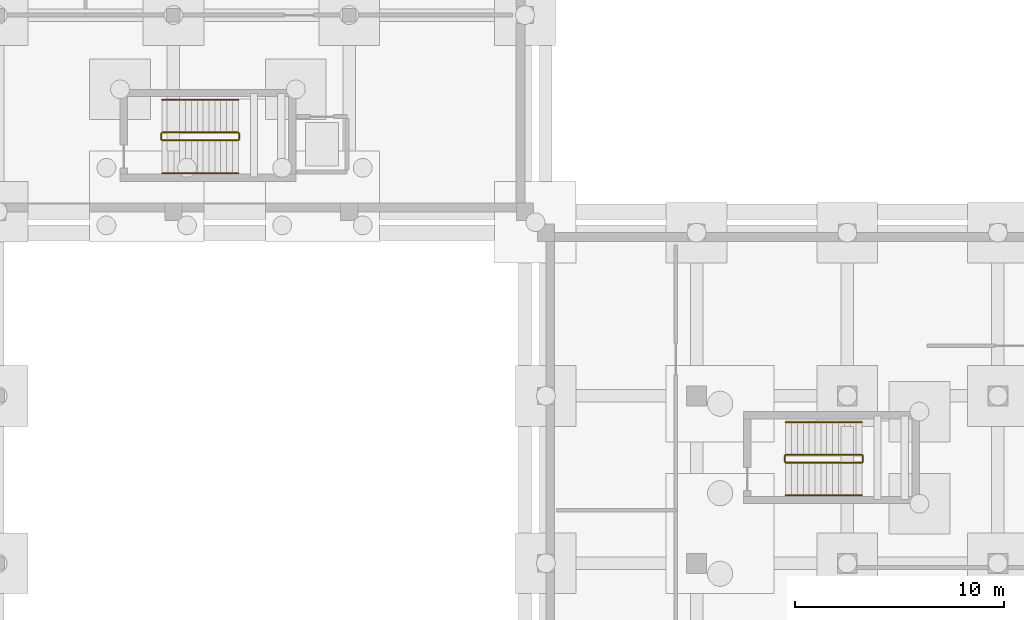
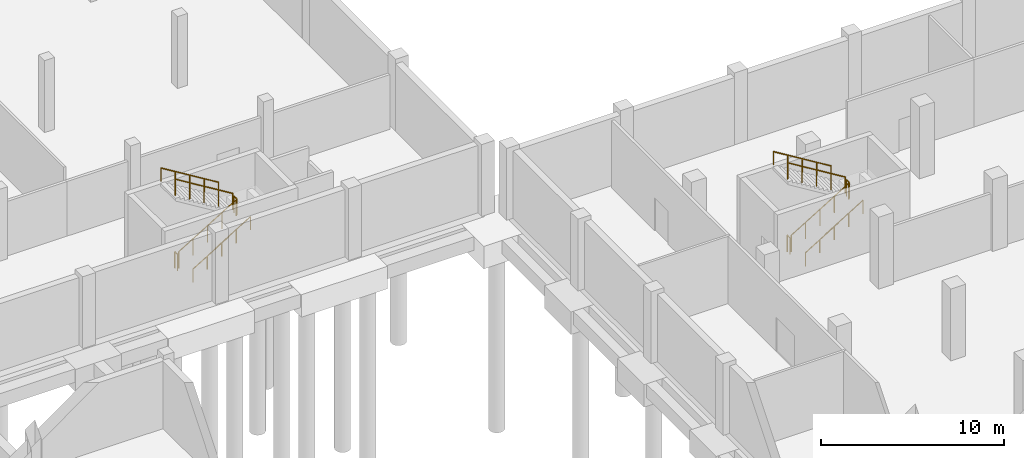
# One storey, part 27 of 29: 12 railings.
"""IFC4 building model written with IfcOpenShell, lengths in metres."""

from ifc_helpers import new_model, si_unit, direction, frame, origin, origin_2d, place, context, subcontext, project, spatial, circle, extrude, material, type_object, element, save


model = new_model("IFC4")

# Units and contexts
model_context = context("Model", 3, precision=1e-05, world=origin(), true_north=direction((0.0, 1.0)))
body_context = subcontext(model_context, "Body", "Model", "MODEL_VIEW")
ifc_project = project(units=[si_unit("LENGTHUNIT", "METRE"), si_unit("AREAUNIT", "SQUARE_METRE"), si_unit("VOLUMEUNIT", "CUBIC_METRE"), si_unit("PLANEANGLEUNIT", "RADIAN"), si_unit("MASSUNIT", "GRAM", prefix="KILO")], contexts=[model_context])

# Site, building, storey
site_placement = place(None, origin())
site = spatial("IfcSite", under=ifc_project, at=site_placement, CompositionType="ELEMENT")
building_placement = place(site_placement, origin())
building = spatial("IfcBuilding", under=site, at=building_placement, Name="Kelarvand Opera House", CompositionType="ELEMENT")
storey_placement = place(building_placement, frame((0.0, 0.0, -9.60009765625)))
storey = spatial("IfcBuildingStorey", under=building, at=storey_placement, Name="B2", CompositionType="ELEMENT", Elevation=-9.60009765625)

# Railings
ifc_material_1 = material(Name="Brushed bronze tubular rail")
railing_type_1 = type_object("IfcRailingType", Name="Brushed Bronze Stair Wall Handrail 900", PredefinedType="HANDRAIL", material=ifc_material_1)
railing_1_placement = place(storey_placement, frame((63.4599609375, 73.64990234375, 0.171630859375)))
element("IfcRailing", 1, at=railing_1_placement, inside=storey, type_object=railing_type_1, Name="B2 ST-03 stair handrail 1", PredefinedType="HANDRAIL", context=body_context, shape_type="SweptSolid", body=[
    extrude(circle(Radius=0.02392578125, at=origin_2d()), frame((0.0, 0.0, 0.8759765625), z_axis=(0.852865859571, 0.0, 0.52213008492), x_axis=(0.0, 1.0, 0.0)), (0.0, 0.0, 1.0), 4.26806640625),
    extrude(circle(Radius=0.02099609375, at=origin_2d()), origin(), (0.0, 0.0, 1.0), 0.851806640625),
    extrude(circle(Radius=0.02099609375, at=origin_2d()), frame((0.91015625, 0.0, 0.55712890625)), (0.0, 0.0, 1.0), 0.851806640625),
    extrude(circle(Radius=0.02099609375, at=origin_2d()), frame((1.820068359375, 0.0, 1.1142578125)), (0.0, 0.0, 1.0), 0.851806640625),
    extrude(circle(Radius=0.02099609375, at=origin_2d()), frame((2.72998046875, 0.0, 1.67138671875)), (0.0, 0.0, 1.0), 0.851806640625),
    extrude(circle(Radius=0.02099609375, at=origin_2d()), frame((3.64013671875, 0.0, 2.228515625)), (0.0, 0.0, 1.0), 0.851806640625),
])
railing_2_placement = place(storey_placement, frame((67.10009765625, 77.14990234375, 2.571533203125)))
element("IfcRailing", 2, at=railing_2_placement, inside=storey, type_object=railing_type_1, Name="B2 ST-03 stair handrail 2", PredefinedType="HANDRAIL", context=body_context, shape_type="SweptSolid", body=[
    extrude(circle(Radius=0.02392578125, at=origin_2d()), frame((0.0, 0.0, 0.8759765625), z_axis=(-0.852865859571, 0.0, 0.52213008492), x_axis=(0.0, -1.0, 0.0)), (0.0, 0.0, 1.0), 4.26806640625),
    extrude(circle(Radius=0.02099609375, at=origin_2d()), origin(), (0.0, 0.0, 1.0), 0.851806640625),
    extrude(circle(Radius=0.02099609375, at=origin_2d()), frame((-0.91015625, 0.0, 0.55712890625)), (0.0, 0.0, 1.0), 0.851806640625),
    extrude(circle(Radius=0.02099609375, at=origin_2d()), frame((-1.820068359375, 0.0, 1.1142578125)), (0.0, 0.0, 1.0), 0.851806640625),
    extrude(circle(Radius=0.02099609375, at=origin_2d()), frame((-2.72998046875, 0.0, 1.67138671875)), (0.0, 0.0, 1.0), 0.851806640625),
    extrude(circle(Radius=0.02099609375, at=origin_2d()), frame((-3.64013671875, 0.0, 2.228515625)), (0.0, 0.0, 1.0), 0.851806640625),
])
railing_3_placement = place(storey_placement, frame((33.659912109375, 89.050048828125, 0.171630859375)))
element("IfcRailing", 3, at=railing_3_placement, inside=storey, type_object=railing_type_1, Name="B2 ST-05 stair handrail 1", PredefinedType="HANDRAIL", context=body_context, shape_type="SweptSolid", body=[
    extrude(circle(Radius=0.02392578125, at=origin_2d()), frame((0.0, 0.0, 0.8759765625), z_axis=(0.852865859571, 0.0, 0.52213008492), x_axis=(0.0, 1.0, 0.0)), (0.0, 0.0, 1.0), 4.26806640625),
    extrude(circle(Radius=0.02099609375, at=origin_2d()), origin(), (0.0, 0.0, 1.0), 0.851806640625),
    extrude(circle(Radius=0.02099609375, at=origin_2d()), frame((0.91015625, 0.0, 0.55712890625)), (0.0, 0.0, 1.0), 0.851806640625),
    extrude(circle(Radius=0.02099609375, at=origin_2d()), frame((1.820068359375, 0.0, 1.1142578125)), (0.0, 0.0, 1.0), 0.851806640625),
    extrude(circle(Radius=0.02099609375, at=origin_2d()), frame((2.72998046875, 0.0, 1.67138671875)), (0.0, 0.0, 1.0), 0.851806640625),
    extrude(circle(Radius=0.02099609375, at=origin_2d()), frame((3.64013671875, 0.0, 2.228515625)), (0.0, 0.0, 1.0), 0.851806640625),
])
railing_4_placement = place(storey_placement, frame((37.300048828125, 92.550048828125, 2.571533203125)))
element("IfcRailing", 4, at=railing_4_placement, inside=storey, type_object=railing_type_1, Name="B2 ST-05 stair handrail 2", PredefinedType="HANDRAIL", context=body_context, shape_type="SweptSolid", body=[
    extrude(circle(Radius=0.02392578125, at=origin_2d()), frame((0.0, 0.0, 0.8759765625), z_axis=(-0.852865859571, 0.0, 0.52213008492), x_axis=(0.0, -1.0, 0.0)), (0.0, 0.0, 1.0), 4.26806640625),
    extrude(circle(Radius=0.02099609375, at=origin_2d()), origin(), (0.0, 0.0, 1.0), 0.851806640625),
    extrude(circle(Radius=0.02099609375, at=origin_2d()), frame((-0.91015625, 0.0, 0.55712890625)), (0.0, 0.0, 1.0), 0.851806640625),
    extrude(circle(Radius=0.02099609375, at=origin_2d()), frame((-1.820068359375, 0.0, 1.1142578125)), (0.0, 0.0, 1.0), 0.851806640625),
    extrude(circle(Radius=0.02099609375, at=origin_2d()), frame((-2.72998046875, 0.0, 1.67138671875)), (0.0, 0.0, 1.0), 0.851806640625),
    extrude(circle(Radius=0.02099609375, at=origin_2d()), frame((-3.64013671875, 0.0, 2.228515625)), (0.0, 0.0, 1.0), 0.851806640625),
])
ifc_material_2 = material(Name="Powder-coated Steel S355", Category="steel")
railing_type_2 = type_object("IfcRailingType", Name="Painted Steel Stair and Void Guardrail 1100", PredefinedType="GUARDRAIL", material=ifc_material_2)
railing_5_placement = place(storey_placement, frame((63.4599609375, 75.2099609375, 0.171630859375)))
element("IfcRailing", 5, at=railing_5_placement, inside=storey, type_object=railing_type_2, Name="B2 ST-03 stair guard 1", PredefinedType="GUARDRAIL", context=body_context, shape_type="SweptSolid", body=[
    extrude(circle(Radius=0.02392578125, at=origin_2d()), frame((0.0, 0.0, 1.076171875), z_axis=(0.852865859571, 0.0, 0.52213008492), x_axis=(0.0, 1.0, 0.0)), (0.0, 0.0, 1.0), 4.26806640625),
    extrude(circle(Radius=0.02099609375, at=origin_2d()), origin(), (0.0, 0.0, 1.0), 1.052001953125),
    extrude(circle(Radius=0.02099609375, at=origin_2d()), frame((0.91015625, 0.0, 0.55712890625)), (0.0, 0.0, 1.0), 1.052001953125),
    extrude(circle(Radius=0.02099609375, at=origin_2d()), frame((1.820068359375, 0.0, 1.1142578125)), (0.0, 0.0, 1.0), 1.052001953125),
    extrude(circle(Radius=0.02099609375, at=origin_2d()), frame((2.72998046875, 0.0, 1.67138671875)), (0.0, 0.0, 1.0), 1.052001953125),
    extrude(circle(Radius=0.02099609375, at=origin_2d()), frame((3.64013671875, 0.0, 2.228515625)), (0.0, 0.0, 1.0), 1.052001953125),
])
railing_6_placement = place(storey_placement, frame((67.14990234375, 75.260009765625, 2.400146484375)))
element("IfcRailing", 6, at=railing_6_placement, inside=storey, type_object=railing_type_2, Name="B2 ST-03 stair guard 2", PredefinedType="GUARDRAIL", context=body_context, shape_type="SweptSolid", body=[
    extrude(circle(Radius=0.02392578125, at=origin_2d()), frame((0.0, 0.0, 1.076171875), z_axis=(0.0, 1.0, 0.0), x_axis=(-1.0, 0.0, 0.0)), (0.0, 0.0, 1.0), 0.280029296875),
    extrude(circle(Radius=0.02099609375, at=origin_2d()), origin(), (0.0, 0.0, 1.0), 1.052001953125),
    extrude(circle(Radius=0.02099609375, at=origin_2d()), frame((0.0, 0.280029296875, 0.0)), (0.0, 0.0, 1.0), 1.052001953125),
])
railing_7_placement = place(storey_placement, frame((67.10009765625, 75.590087890625, 2.571533203125)))
element("IfcRailing", 7, at=railing_7_placement, inside=storey, type_object=railing_type_2, Name="B2 ST-03 stair guard 3", PredefinedType="GUARDRAIL", context=body_context, shape_type="SweptSolid", body=[
    extrude(circle(Radius=0.02392578125, at=origin_2d()), frame((0.0, 0.0, 1.076171875), z_axis=(-0.852865859571, 0.0, 0.52213008492), x_axis=(0.0, -1.0, 0.0)), (0.0, 0.0, 1.0), 4.26806640625),
    extrude(circle(Radius=0.02099609375, at=origin_2d()), origin(), (0.0, 0.0, 1.0), 1.052001953125),
    extrude(circle(Radius=0.02099609375, at=origin_2d()), frame((-0.91015625, 0.0, 0.55712890625)), (0.0, 0.0, 1.0), 1.052001953125),
    extrude(circle(Radius=0.02099609375, at=origin_2d()), frame((-1.820068359375, 0.0, 1.1142578125)), (0.0, 0.0, 1.0), 1.052001953125),
    extrude(circle(Radius=0.02099609375, at=origin_2d()), frame((-2.72998046875, 0.0, 1.67138671875)), (0.0, 0.0, 1.0), 1.052001953125),
    extrude(circle(Radius=0.02099609375, at=origin_2d()), frame((-3.64013671875, 0.0, 2.228515625)), (0.0, 0.0, 1.0), 1.052001953125),
])
railing_8_placement = place(storey_placement, frame((63.409912109375, 75.260009765625, 0.0)))
element("IfcRailing", 8, at=railing_8_placement, inside=storey, type_object=railing_type_2, Name="B2 ST-03 stair guard 4", PredefinedType="GUARDRAIL", context=body_context, shape_type="SweptSolid", body=[
    extrude(circle(Radius=0.02392578125, at=origin_2d()), frame((0.0, 0.0, 1.076171875), z_axis=(0.0, 1.0, 0.0), x_axis=(-1.0, 0.0, 0.0)), (0.0, 0.0, 1.0), 0.280029296875),
    extrude(circle(Radius=0.02099609375, at=origin_2d()), origin(), (0.0, 0.0, 1.0), 1.052001953125),
    extrude(circle(Radius=0.02099609375, at=origin_2d()), frame((0.0, 0.280029296875, 0.0)), (0.0, 0.0, 1.0), 1.052001953125),
])
railing_9_placement = place(storey_placement, frame((33.659912109375, 90.610107421875, 0.171630859375)))
element("IfcRailing", 9, at=railing_9_placement, inside=storey, type_object=railing_type_2, Name="B2 ST-05 stair guard 1", PredefinedType="GUARDRAIL", context=body_context, shape_type="SweptSolid", body=[
    extrude(circle(Radius=0.02392578125, at=origin_2d()), frame((0.0, 0.0, 1.076171875), z_axis=(0.852865859571, 0.0, 0.52213008492), x_axis=(0.0, 1.0, 0.0)), (0.0, 0.0, 1.0), 4.26806640625),
    extrude(circle(Radius=0.02099609375, at=origin_2d()), origin(), (0.0, 0.0, 1.0), 1.052001953125),
    extrude(circle(Radius=0.02099609375, at=origin_2d()), frame((0.91015625, 0.0, 0.55712890625)), (0.0, 0.0, 1.0), 1.052001953125),
    extrude(circle(Radius=0.02099609375, at=origin_2d()), frame((1.820068359375, 0.0, 1.1142578125)), (0.0, 0.0, 1.0), 1.052001953125),
    extrude(circle(Radius=0.02099609375, at=origin_2d()), frame((2.72998046875, 0.0, 1.67138671875)), (0.0, 0.0, 1.0), 1.052001953125),
    extrude(circle(Radius=0.02099609375, at=origin_2d()), frame((3.64013671875, 0.0, 2.228515625)), (0.0, 0.0, 1.0), 1.052001953125),
])
railing_10_placement = place(storey_placement, frame((37.35009765625, 90.659912109375, 2.400146484375)))
element("IfcRailing", 10, at=railing_10_placement, inside=storey, type_object=railing_type_2, Name="B2 ST-05 stair guard 2", PredefinedType="GUARDRAIL", context=body_context, shape_type="SweptSolid", body=[
    extrude(circle(Radius=0.02392578125, at=origin_2d()), frame((0.0, 0.0, 1.076171875), z_axis=(0.0, 1.0, 0.0), x_axis=(-1.0, 0.0, 0.0)), (0.0, 0.0, 1.0), 0.280029296875),
    extrude(circle(Radius=0.02099609375, at=origin_2d()), origin(), (0.0, 0.0, 1.0), 1.052001953125),
    extrude(circle(Radius=0.02099609375, at=origin_2d()), frame((0.0, 0.280029296875, 0.0)), (0.0, 0.0, 1.0), 1.052001953125),
])
railing_11_placement = place(storey_placement, frame((37.300048828125, 90.989990234375, 2.571533203125)))
element("IfcRailing", 11, at=railing_11_placement, inside=storey, type_object=railing_type_2, Name="B2 ST-05 stair guard 3", PredefinedType="GUARDRAIL", context=body_context, shape_type="SweptSolid", body=[
    extrude(circle(Radius=0.02392578125, at=origin_2d()), frame((0.0, 0.0, 1.076171875), z_axis=(-0.852865859571, 0.0, 0.52213008492), x_axis=(0.0, -1.0, 0.0)), (0.0, 0.0, 1.0), 4.26806640625),
    extrude(circle(Radius=0.02099609375, at=origin_2d()), origin(), (0.0, 0.0, 1.0), 1.052001953125),
    extrude(circle(Radius=0.02099609375, at=origin_2d()), frame((-0.91015625, 0.0, 0.55712890625)), (0.0, 0.0, 1.0), 1.052001953125),
    extrude(circle(Radius=0.02099609375, at=origin_2d()), frame((-1.820068359375, 0.0, 1.1142578125)), (0.0, 0.0, 1.0), 1.052001953125),
    extrude(circle(Radius=0.02099609375, at=origin_2d()), frame((-2.72998046875, 0.0, 1.67138671875)), (0.0, 0.0, 1.0), 1.052001953125),
    extrude(circle(Radius=0.02099609375, at=origin_2d()), frame((-3.64013671875, 0.0, 2.228515625)), (0.0, 0.0, 1.0), 1.052001953125),
])
railing_12_placement = place(storey_placement, frame((33.610107421875, 90.659912109375, 0.0)))
element("IfcRailing", 12, at=railing_12_placement, inside=storey, type_object=railing_type_2, Name="B2 ST-05 stair guard 4", PredefinedType="GUARDRAIL", context=body_context, shape_type="SweptSolid", body=[
    extrude(circle(Radius=0.02392578125, at=origin_2d()), frame((0.0, 0.0, 1.076171875), z_axis=(0.0, 1.0, 0.0), x_axis=(-1.0, 0.0, 0.0)), (0.0, 0.0, 1.0), 0.280029296875),
    extrude(circle(Radius=0.02099609375, at=origin_2d()), origin(), (0.0, 0.0, 1.0), 1.052001953125),
    extrude(circle(Radius=0.02099609375, at=origin_2d()), frame((0.0, 0.280029296875, 0.0)), (0.0, 0.0, 1.0), 1.052001953125),
])

save(model, "model.ifc")
